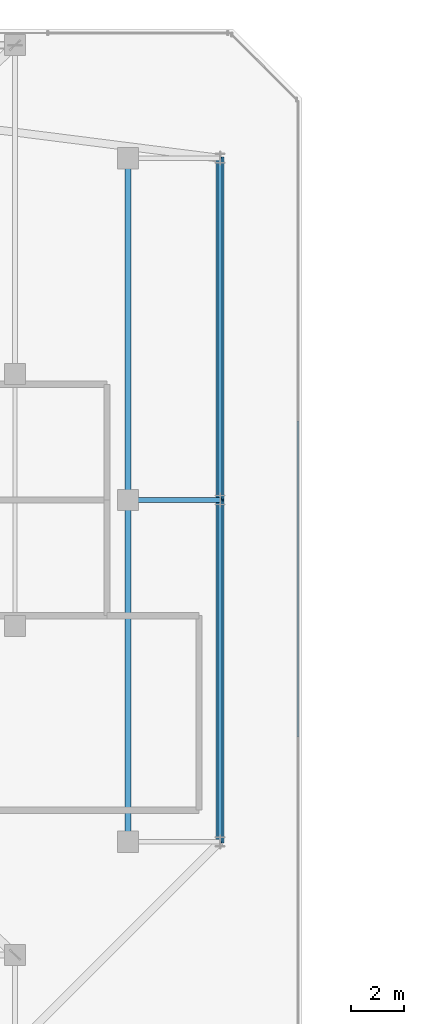
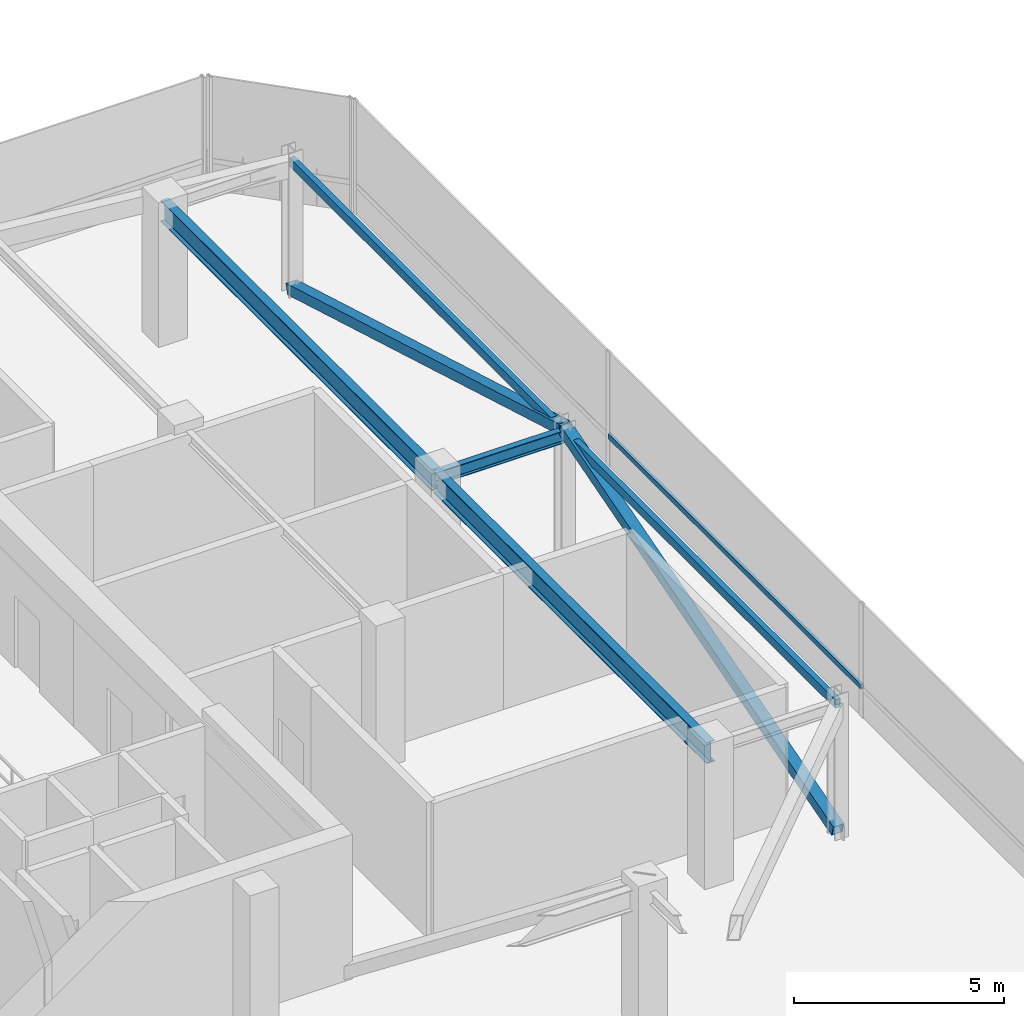
# One storey, part 16 of 47: 5 beams, 3 members, 1 element without a shape of its own.
"""IFC4 building model written with IfcOpenShell, lengths in metres."""

from ifc_helpers import new_model, si_unit, direction, frame, origin, origin_2d, place, context, subcontext, project, spatial, hollow_rectangle, i_section, extrude, material, material_profile, profile_set, type_object, element, aggregate, save


model = new_model("IFC4")

# Units and contexts
model_context = context("Model", 3, precision=1e-05, world=origin(), true_north=direction((0.0, 1.0)))
body_context = subcontext(model_context, "Body", "Model", "MODEL_VIEW")
ifc_project = project(units=[si_unit("LENGTHUNIT", "METRE"), si_unit("AREAUNIT", "SQUARE_METRE"), si_unit("VOLUMEUNIT", "CUBIC_METRE"), si_unit("PLANEANGLEUNIT", "RADIAN"), si_unit("MASSUNIT", "GRAM", prefix="KILO")], contexts=[model_context])

# Site, building, storey
site_placement = place(None, origin())
site = spatial("IfcSite", under=ifc_project, at=site_placement, CompositionType="ELEMENT")
building_placement = place(site_placement, origin())
building = spatial("IfcBuilding", under=site, at=building_placement, Name="Thornwick Lancets Civic Towers", CompositionType="ELEMENT")
storey_placement = place(building_placement, frame((0.0, 0.0, 279.89990234375)))
storey = spatial("IfcBuildingStorey", under=building, at=storey_placement, Name="C01", CompositionType="ELEMENT", Elevation=279.89990234375)

# Beams
ifc_material_1 = material(Name="Steel S355JR", Category="steel")
ifc_material_profile_1 = material_profile(ifc_material_1, hollow_rectangle(XDim=0.14990234375, YDim=0.25, WallThickness=0.012451171875, at=origin_2d()), Name="RHS 250x150x12.5")
ifc_profile_set_1 = profile_set([ifc_material_profile_1], Name="Steel S355JR")
beam_type_1 = type_object("IfcBeamType", Name="BM_CROWN_RHS250", PredefinedType="BEAM", material=ifc_profile_set_1)
beam_1_placement = place(storey_placement, frame((46.300048828125, 14.0, 3.815185546875), z_axis=(0.0, 1.0, 0.0), x_axis=(-1.0, 0.0, 0.0)))
element("IfcBeam", 1, at=beam_1_placement, inside=storey, type_object=beam_type_1, Name="BM-EDGE-C01-A-S1-1", PredefinedType="BEAM", context=body_context, shape_type="SweptSolid", body=[
    extrude(hollow_rectangle(XDim=0.14990234375, YDim=0.25, WallThickness=0.012451171875, at=origin_2d()), origin(), (0.0, 0.0, 1.0), 13.0),
])
beam_2_placement = place(storey_placement, frame((46.300048828125, 27.080078125, 3.815185546875), z_axis=(0.0, 1.0, 0.0), x_axis=(-1.0, 0.0, 0.0)))
element("IfcBeam", 2, at=beam_2_placement, inside=storey, type_object=beam_type_1, Name="BM-EDGE-C01-A-S1-2", PredefinedType="BEAM", context=body_context, shape_type="SweptSolid", body=[
    extrude(hollow_rectangle(XDim=0.14990234375, YDim=0.25, WallThickness=0.012451171875, at=origin_2d()), origin(), (0.0, 0.0, 1.0), 12.919921875),
])
ifc_material_profile_2 = material_profile(ifc_material_1, i_section(OverallWidth=0.230224609375, OverallDepth=0.6171875, WebThickness=0.01318359375, FlangeThickness=0.022216796875, FilletRadius=0.0126953125, at=origin_2d()), Name="UKB 610x229x140")
ifc_profile_set_2 = profile_set([ifc_material_profile_2], Name="Steel S355JR")
beam_type_2 = type_object("IfcBeamType", Name="BM_GIRD_610_140", PredefinedType="BEAM", material=ifc_profile_set_2)
beam_3_placement = place(storey_placement, frame((42.800048828125, 14.0, 3.631591796875), z_axis=(0.0, 1.0, 0.0), x_axis=(-1.0, 0.0, 0.0)))
element("IfcBeam", 3, at=beam_3_placement, inside=storey, type_object=beam_type_2, Name="BM-SPINE-C01-A-3-4", PredefinedType="BEAM", context=body_context, shape_type="SweptSolid", body=[
    extrude(i_section(OverallWidth=0.230224609375, OverallDepth=0.6171875, WebThickness=0.01318359375, FlangeThickness=0.022216796875, FilletRadius=0.0126953125, at=origin_2d()), origin(), (0.0, 0.0, 1.0), 13.0),
])
beam_4_placement = place(storey_placement, frame((42.800048828125, 27.080078125, 3.631591796875), z_axis=(0.0, 1.0, 0.0), x_axis=(-1.0, 0.0, 0.0)))
element("IfcBeam", 4, at=beam_4_placement, inside=storey, type_object=beam_type_2, Name="BM-SPINE-C01-A-4-5", PredefinedType="BEAM", context=body_context, shape_type="SweptSolid", body=[
    extrude(i_section(OverallWidth=0.230224609375, OverallDepth=0.6171875, WebThickness=0.01318359375, FlangeThickness=0.022216796875, FilletRadius=0.0126953125, at=origin_2d()), origin(), (0.0, 0.0, 1.0), 12.919921875),
])
ifc_material_profile_3 = material_profile(ifc_material_1, i_section(OverallWidth=0.173095703125, OverallDepth=0.36328125, WebThickness=0.009033203125, FlangeThickness=0.015625, FilletRadius=0.01025390625, at=origin_2d()), Name="UKB 356x171x67")
ifc_profile_set_3 = profile_set([ifc_material_profile_3], Name="Steel S355JR")
beam_type_3 = type_object("IfcBeamType", Name="BM_JOIST_356_67", PredefinedType="JOIST", material=ifc_profile_set_3)
beam_5_placement = place(storey_placement, frame((42.800048828125, 27.0, 3.75830078125), z_axis=(1.0, 0.0, 0.0), x_axis=(0.0, 1.0, 0.0)))
element("IfcBeam", 5, at=beam_5_placement, inside=storey, type_object=beam_type_3, Name="BM-RAD-C01-A05", PredefinedType="JOIST", context=body_context, shape_type="SweptSolid", body=[
    extrude(i_section(OverallWidth=0.173095703125, OverallDepth=0.36328125, WebThickness=0.009033203125, FlangeThickness=0.015625, FilletRadius=0.01025390625, at=origin_2d()), origin(), (0.0, 0.0, 1.0), 3.5),
])

# Curtain wall, member
ifc_material_2 = material(Name="Crown ring acoustic-louvre and glazing screen wall", Category="glass")
curtain_wall_type = type_object("IfcCurtainWallType", Name="CW_SYS_07", PredefinedType="NOTDEFINED", material=ifc_material_2)
curtain_wall_placement = place(storey_placement, origin())
curtain_wall = element("IfcCurtainWall", 6, at=curtain_wall_placement, inside=storey, type_object=curtain_wall_type, Name="C01 Curtain Wall CW-C01-A-E2", PredefinedType="NOTDEFINED")
ifc_material_3 = material(Name="Thermally broken bronze aluminium S355", Category="steel")
ifc_material_profile_4 = material_profile(ifc_material_3, hollow_rectangle(XDim=0.074951171875, YDim=0.14990234375, WallThickness=0.0048828125, at=origin_2d()), Name="RHS 150x75x5")
ifc_profile_set_4 = profile_set([ifc_material_profile_4], Name="Thermally broken bronze aluminium S355")
member_type_1 = type_object("IfcMemberType", Name="CW_TRN_150", PredefinedType="USERDEFINED", material=ifc_profile_set_4)
member_placement = place(storey_placement, frame((49.2646484375, 17.986083984375, 0.85009765625), z_axis=(0.0, 1.0, 0.0), x_axis=(-1.0, 0.0, 0.0)))
member = element("IfcMember", 7, at=member_placement, type_object=member_type_1, Name="CW-C01-A-E2 Transom 1", ObjectType="TRANSOM", PredefinedType="USERDEFINED", context=body_context, shape_type="SweptSolid", body=[
    extrude(hollow_rectangle(XDim=0.074951171875, YDim=0.14990234375, WallThickness=0.0048828125, at=origin_2d()), origin(), (0.0, 0.0, 1.0), 12.02783203125),
])
aggregate(curtain_wall, [member])

# Members
ifc_material_4 = material(Name="Steel S460M", Category="steel")
ifc_material_profile_5 = material_profile(ifc_material_4, hollow_rectangle(XDim=0.300048828125, YDim=0.300048828125, WallThickness=0.01611328125, at=origin_2d()), Name="SHS 300x300x16")
ifc_profile_set_5 = profile_set([ifc_material_profile_5], Name="Steel S460M")
member_type_2 = type_object("IfcMemberType", Name="MEM_BELT_SHS300", PredefinedType="BRACE", material=ifc_profile_set_5)
for number, where, z_axis, x_axis, name in (
    (8, (46.300048828125, 14.0, 0.150146484375), (0.0, 0.960032302388, 0.279889225178), (-1.0, 0.0, 0.0), "C01 Belt Truss Diagonal A-S1-1"),
    (9, (46.300048828125, 40.0, 0.150146484375), (0.0, -0.960032302388, 0.279889225178), (1.0, 0.0, 0.0), "C01 Belt Truss Diagonal A-S1-2"),
):
    element("IfcMember", number, at=place(storey_placement, frame(where, z_axis=z_axis, x_axis=x_axis)), inside=storey, type_object=member_type_2, Name=name, PredefinedType="BRACE", context=body_context, shape_type="SweptSolid", body=[
        extrude(hollow_rectangle(XDim=0.300048828125, YDim=0.300048828125, WallThickness=0.01611328125, at=origin_2d()), origin(), (0.0, 0.0, 1.0), 13.541259765625),
    ])

save(model, "model.ifc")
